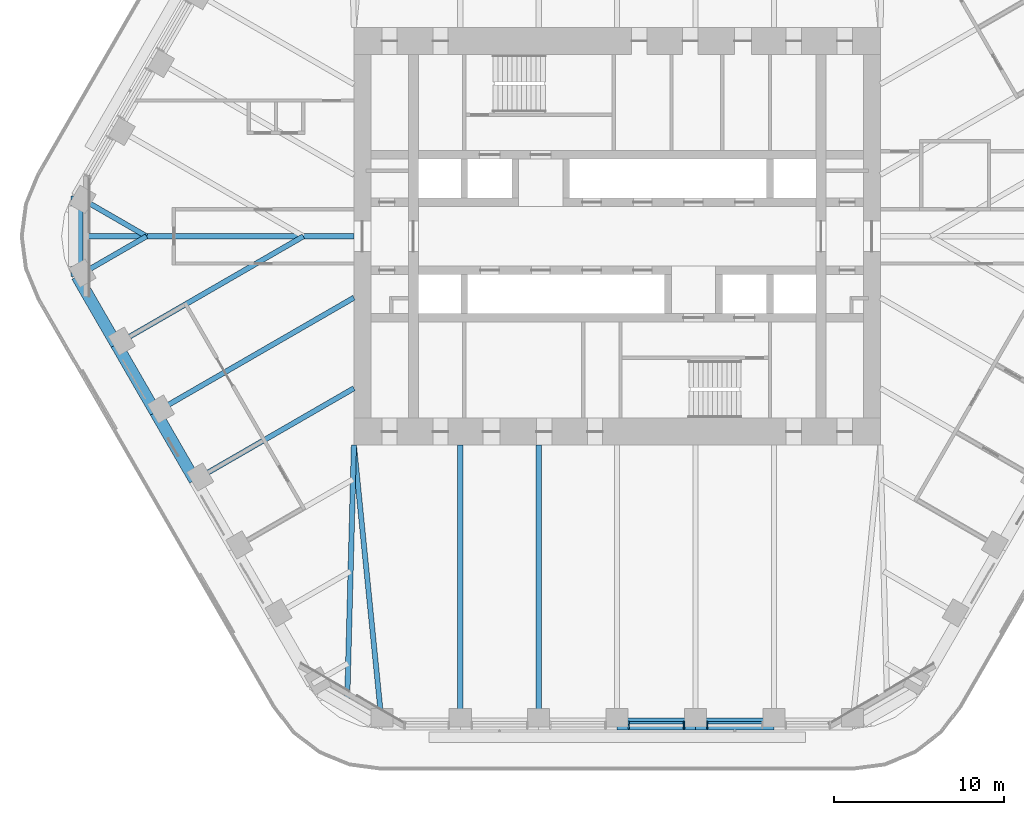
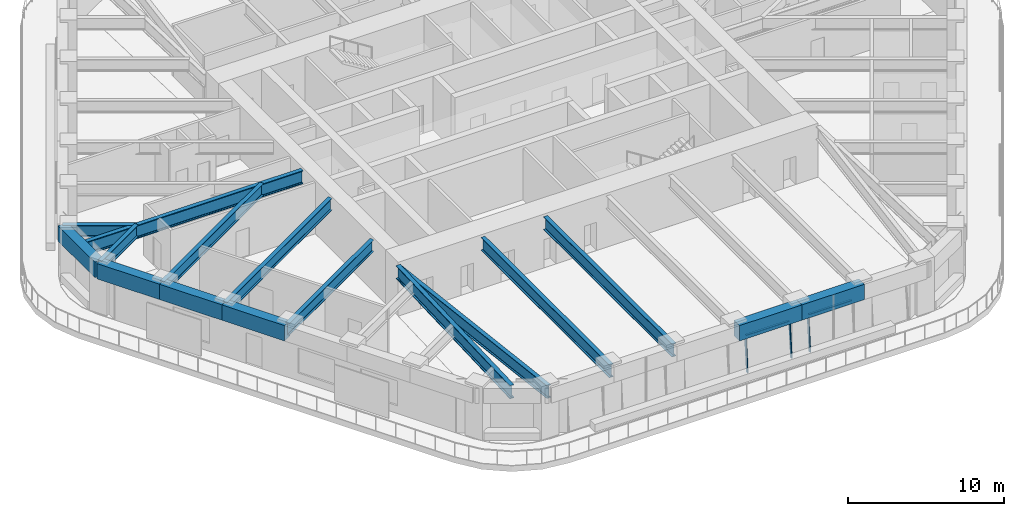
# One storey, part 3 of 20: 16 beams, 5 members, 2 elements without a shape of their own.
"""IFC4 building model written with IfcOpenShell, lengths in metres."""

import ifcopenshell
import ifcopenshell.guid

model = None  # the IFC model being written
_history = None  # IfcOwnerHistory: only IFC2X3 demands one
_inside = {}  # id of a spatial element -> (the spatial element, [elements in it])
_under = {}  # id of a project, library or spatial element -> (it, [spatial elements below it])
_declared = {}  # id of a project -> (the project, [libraries it declares])
_typed = {}  # id of a type object -> (the type object, [elements of that type])
_made_of = {}  # id of a material, layer set ... -> (it, [elements and type objects made of it])


def new_model(schema):
    """Start an empty IFC model of exactly this schema.

    Asked for "IFC4X3", IfcOpenShell would pick the latest addendum, in which some entities
    have other attributes; the version numbers below select the first issue.
    IFC2X3 requires an IfcOwnerHistory on every rooted entity: one is made here for all.
    """
    global model, _history
    if schema == "IFC4X3":
        model = ifcopenshell.file(schema_version=(4, 3, 0, 0))
    else:
        model = ifcopenshell.file(schema=schema)
    _inside.clear()
    _under.clear()
    _declared.clear()
    _typed.clear()
    _made_of.clear()
    _history = None
    if model.schema == "IFC2X3":
        org = make("IfcOrganization", Name="unknown")
        user = make(
            "IfcPersonAndOrganization",
            ThePerson=make("IfcPerson", FamilyName="unknown"),
            TheOrganization=org,
        )
        app = make(
            "IfcApplication",
            ApplicationDeveloper=org,
            Version="unknown",
            ApplicationFullName="unknown",
            ApplicationIdentifier="unknown",
        )
        _history = make(
            "IfcOwnerHistory",
            OwningUser=user,
            OwningApplication=app,
            ChangeAction="ADDED",
            CreationDate=0,
        )
    return model


def make(cls, **values):
    """One entity of the class cls with the attributes given. An attribute that is None is left unset."""
    return model.create_entity(
        cls, **{name: value for name, value in values.items() if value is not None}
    )


def rooted(cls, **values):
    """An entity with a GlobalId (a new one), such as an element, a storey or a relation."""
    return make(cls, GlobalId=ifcopenshell.guid.new(), OwnerHistory=_history, **values)


def si_unit(unit_type, name, prefix=None):
    """IfcSIUnit, for example si_unit("LENGTHUNIT", "METRE", prefix="MILLI")."""
    return make("IfcSIUnit", UnitType=unit_type, Prefix=prefix, Name=name)


def assignment(units):
    """IfcUnitAssignment: the units of a project."""
    return None if units is None else make("IfcUnitAssignment", Units=units)


def point(xyz):
    """IfcCartesianPoint."""
    return None if xyz is None else make("IfcCartesianPoint", Coordinates=xyz)


def direction(xyz):
    """IfcDirection."""
    return None if xyz is None else make("IfcDirection", DirectionRatios=xyz)


def frame(location, z_axis=None, x_axis=None):
    """IfcAxis2Placement3D, a coordinate frame: its origin and axes. An axis left out is left unset."""
    return make(
        "IfcAxis2Placement3D",
        Location=point(location),
        Axis=direction(z_axis),
        RefDirection=direction(x_axis),
    )


def frame_2d(location, x_axis=None):
    """IfcAxis2Placement2D, a coordinate frame in the plane: its origin and x axis."""
    return make(
        "IfcAxis2Placement2D", Location=point(location), RefDirection=direction(x_axis)
    )


def origin():
    """The frame at (0, 0, 0) with its axes left unset."""
    return frame((0.0, 0.0, 0.0))


def origin_2d():
    """The frame at (0, 0) in the plane with its x axis left unset."""
    return frame_2d((0.0, 0.0))


def place(relative_to, where):
    """IfcLocalPlacement: puts the frame where relative to a parent placement (None: the world)."""
    return make(
        "IfcLocalPlacement", PlacementRelTo=relative_to, RelativePlacement=where
    )


def context(
    kind, dimensions, precision=None, world=None, true_north=None, identifier=None
):
    """IfcGeometricRepresentationContext, for example the 3D "Model" context."""
    return make(
        "IfcGeometricRepresentationContext",
        ContextIdentifier=identifier,
        ContextType=kind,
        CoordinateSpaceDimension=dimensions,
        Precision=precision,
        WorldCoordinateSystem=world,
        TrueNorth=true_north,
    )


def subcontext(parent, identifier, kind, view, scale=None):
    """IfcGeometricRepresentationSubContext, for example "Body" below "Model"."""
    return make(
        "IfcGeometricRepresentationSubContext",
        ContextIdentifier=identifier,
        ContextType=kind,
        ParentContext=parent,
        TargetScale=scale,
        TargetView=view,
    )


def project(units=None, contexts=None):
    """IfcProject with its units and contexts."""
    return rooted(
        "IfcProject",
        Name="project",
        RepresentationContexts=contexts,
        UnitsInContext=assignment(units),
    )


def spatial(cls, under=None, at=None, **own):
    """A site, building, storey or space (cls), placed at a placement, below another one or the project."""
    s = rooted(cls, ObjectPlacement=at, **own)
    if under is not None:
        _under.setdefault(under.id(), (under, []))[1].append(s)
    return s


def profile(cls, at=None, kind="AREA", **sizes):
    """A parametric profile (cls). Its sizes go by their IFC names, for example OverallWidth=200.0."""
    return make(cls, ProfileType=kind, Position=at, **sizes)


def rectangle(**sizes):
    """IfcRectangleProfileDef."""
    return profile("IfcRectangleProfileDef", **sizes)


def i_section(**sizes):
    """IfcIShapeProfileDef."""
    return profile("IfcIShapeProfileDef", **sizes)


def extrude(swept, where, along, depth):
    """IfcExtrudedAreaSolid: the profile swept, set in the frame where, extruded along a direction by depth."""
    return make(
        "IfcExtrudedAreaSolid",
        SweptArea=swept,
        Position=where,
        ExtrudedDirection=direction(along),
        Depth=depth,
    )


def shape(context_of_items, identifier, shape_type, items):
    """IfcShapeRepresentation: the items that make up one representation, for example the "Body"."""
    return make(
        "IfcShapeRepresentation",
        ContextOfItems=context_of_items,
        RepresentationIdentifier=identifier,
        RepresentationType=shape_type,
        Items=items,
    )


def material(Name=None, Category=None):
    """IfcMaterial."""
    return make("IfcMaterial", Name=Name, Category=Category)


def material_profile(
    of_material, cross_section, Name=None, Category=None, Priority=None
):
    """IfcMaterialProfile: a cross section and its material."""
    return make(
        "IfcMaterialProfile",
        Name=Name,
        Material=of_material,
        Profile=cross_section,
        Priority=Priority,
        Category=Category,
    )


def profile_set(profiles, Name=None, composite=None):
    """IfcMaterialProfileSet."""
    return make(
        "IfcMaterialProfileSet",
        Name=Name,
        MaterialProfiles=profiles,
        CompositeProfile=composite,
    )


def made_of(thing, what):
    """Note that an element or type object is made of a material, layer set ...; save() writes the relation."""
    if what is not None:
        _made_of.setdefault(what.id(), (what, []))[1].append(thing)
    return thing


def type_object(cls, material=None, **own):
    """A type object (cls), such as IfcWallType, which elements share."""
    return made_of(rooted(cls, **own), material)


def element(
    cls,
    number,
    at=None,
    inside=None,
    cuts=None,
    type_object=None,
    material=None,
    context=None,
    identifier="Body",
    shape_type=None,
    held_by="IfcProductDefinitionShape",
    body=None,
    shapes=None,
    **own,
):
    """One element of the class cls, such as IfcWall. Its Tag is "e" and its number.

    at: its placement. inside: the storey or other place that contains it. cuts: it is an
    opening in that element (IfcRelVoidsElement). A single representation is given by context,
    identifier, shape_type and body (its items); several are given by shapes. held_by: the class
    of the entity that holds the representations. save() writes the other relations.
    """
    e = rooted(cls, Tag="e%d" % number, ObjectPlacement=at, **own)
    if body is not None:
        shapes = [shape(context, identifier, shape_type, body)]
    if shapes is not None:
        e.Representation = make(held_by, Representations=shapes)
    if inside is not None:
        _inside.setdefault(inside.id(), (inside, []))[1].append(e)
    if cuts is not None:
        rooted(
            "IfcRelVoidsElement", RelatingBuildingElement=cuts, RelatedOpeningElement=e
        )
    if type_object is not None:
        _typed.setdefault(type_object.id(), (type_object, []))[1].append(e)
    return made_of(e, material)


def aggregate(whole, parts):
    """IfcRelAggregates: a whole, such as a stair, and the parts it consists of."""
    return rooted("IfcRelAggregates", RelatingObject=whole, RelatedObjects=parts)


def save(model, path):
    """Write the relations noted so far, then the file.

    IfcRelAggregates (storeys below a building ...), IfcRelContainedInSpatialStructure (elements
    in a storey), IfcRelDefinesByType, IfcRelAssociatesMaterial and IfcRelDeclares: one each for
    every whole, place, type object, material and project.
    """
    for whole, parts in _under.values():
        aggregate(whole, parts)
    for where, things in _inside.values():
        rooted(
            "IfcRelContainedInSpatialStructure",
            RelatedElements=things,
            RelatingStructure=where,
        )
    for kind, things in _typed.values():
        rooted("IfcRelDefinesByType", RelatedObjects=things, RelatingType=kind)
    for what, things in _made_of.values():
        rooted("IfcRelAssociatesMaterial", RelatedObjects=things, RelatingMaterial=what)
    for by, libraries in _declared.values():
        rooted("IfcRelDeclares", RelatingContext=by, RelatedDefinitions=libraries)
    model.write(path)


model = new_model("IFC4")

# Units and contexts
model_context = context("Model", 3, precision=1e-05, world=origin(), true_north=direction((0.0, 1.0)))
body_context = subcontext(model_context, "Body", "Model", "MODEL_VIEW")
ifc_project = project(units=[si_unit("LENGTHUNIT", "METRE"), si_unit("AREAUNIT", "SQUARE_METRE"), si_unit("VOLUMEUNIT", "CUBIC_METRE"), si_unit("PLANEANGLEUNIT", "RADIAN"), si_unit("MASSUNIT", "GRAM", prefix="KILO")], contexts=[model_context])

# Site, building, storey
site_placement = place(None, origin())
site = spatial("IfcSite", under=ifc_project, at=site_placement, CompositionType="ELEMENT")
building_placement = place(site_placement, origin())
building = spatial("IfcBuilding", under=site, at=building_placement, Name="Tarfa Lantern Tower", CompositionType="ELEMENT")
storey_placement = place(building_placement, frame((0.0, 0.0, 244.89990234375)))
storey = spatial("IfcBuildingStorey", under=building, at=storey_placement, Name="L55", CompositionType="ELEMENT", Elevation=244.89990234375)

# Curtain wall, members
ifc_material_1 = material(Name="Aluminium framed curtain wall", Category="aluminium")
curtain_wall_type = type_object("IfcCurtainWallType", Name="CW3 CANTED GLAZING HIGH ZONE 2800", PredefinedType="USERDEFINED", material=ifc_material_1)
curtain_wall_1_placement = place(storey_placement, origin())
curtain_wall_1 = element("IfcCurtainWall", 1, at=curtain_wall_1_placement, inside=storey, type_object=curtain_wall_type, Name="CW3 S L55", ObjectType="CURTAIN WALL", PredefinedType="USERDEFINED")
ifc_material_2 = material(Name="Aluminium mullion", Category="aluminium")
ifc_material_profile_1 = material_profile(ifc_material_2, rectangle(XDim=0.06494140625, YDim=0.199951171875, at=origin_2d()), Name="AL MULLION 65x200")
ifc_profile_set_1 = profile_set([ifc_material_profile_1], Name="Aluminium mullion")
member_type_1 = type_object("IfcMemberType", Name="CWM1 MULLION 65x200", PredefinedType="MULLION", material=ifc_profile_set_1)
member_1_placement = place(storey_placement, frame((0.6826171875, -28.89990234375, 0.0), z_axis=(0.0, 0.088930399417, 0.996037842685), x_axis=(-1.0, 0.0, 0.0)))
member_1 = element("IfcMember", 2, at=member_1_placement, type_object=member_type_1, Name="CW3 mullion 1", PredefinedType="MULLION", context=body_context, shape_type="SweptSolid", body=[
    extrude(rectangle(XDim=0.06494140625, YDim=0.199951171875, at=origin_2d()), origin(), (0.0, 0.0, 1.0), 2.811279296875),
])
member_2_placement = place(storey_placement, frame((3.936279296875, -28.89990234375, 0.0), z_axis=(0.0, 0.088930399417, 0.996037842685), x_axis=(-1.0, 0.0, 0.0)))
member_2 = element("IfcMember", 3, at=member_2_placement, type_object=member_type_1, Name="CW3 mullion 2", PredefinedType="MULLION", context=body_context, shape_type="SweptSolid", body=[
    extrude(rectangle(XDim=0.06494140625, YDim=0.199951171875, at=origin_2d()), origin(), (0.0, 0.0, 1.0), 2.811279296875),
])

# Curtain wall, member
curtain_wall_2_placement = place(storey_placement, origin())
curtain_wall_2 = element("IfcCurtainWall", 4, at=curtain_wall_2_placement, inside=storey, type_object=curtain_wall_type, Name="CW3 S L55", ObjectType="CURTAIN WALL", PredefinedType="USERDEFINED")
member_3_placement = place(storey_placement, frame((5.30126953125, -28.89990234375, 0.0), z_axis=(0.0, 0.088930399417, 0.996037842685), x_axis=(-1.0, 0.0, 0.0)))
member_3 = element("IfcMember", 5, at=member_3_placement, type_object=member_type_1, Name="CW3 mullion 1", PredefinedType="MULLION", context=body_context, shape_type="SweptSolid", body=[
    extrude(rectangle(XDim=0.06494140625, YDim=0.199951171875, at=origin_2d()), origin(), (0.0, 0.0, 1.0), 2.811279296875),
])

# Member
ifc_material_3 = material(Name="Aluminium transom", Category="aluminium")
ifc_material_profile_2 = material_profile(ifc_material_3, rectangle(XDim=0.14990234375, YDim=0.06494140625, at=origin_2d()), Name="AL TRANSOM 150x65")
ifc_profile_set_2 = profile_set([ifc_material_profile_2], Name="Aluminium transom")
member_type_2 = type_object("IfcMemberType", Name="CWT1 TRANSOM 150x65", PredefinedType="USERDEFINED", material=ifc_profile_set_2)
member_4_placement = place(storey_placement, frame((0.715087890625, -28.65283203125, 2.767578125), z_axis=(1.0, 0.0, 0.0), x_axis=(0.0, 1.0, 0.0)))
member_4 = element("IfcMember", 6, at=member_4_placement, type_object=member_type_2, Name="CW3 transom 1.2", ObjectType="TRANSOM", PredefinedType="USERDEFINED", context=body_context, shape_type="SweptSolid", body=[
    extrude(rectangle(XDim=0.14990234375, YDim=0.06494140625, at=origin_2d()), origin(), (0.0, 0.0, 1.0), 3.188720703125),
])

aggregate(curtain_wall_1, [member_1, member_2, member_4])

member_5_placement = place(storey_placement, frame((5.333740234375, -28.65283203125, 2.767578125), z_axis=(1.0, 0.0, 0.0), x_axis=(0.0, 1.0, 0.0)))
member_5 = element("IfcMember", 7, at=member_5_placement, type_object=member_type_2, Name="CW3 transom 1.2", ObjectType="TRANSOM", PredefinedType="USERDEFINED", context=body_context, shape_type="SweptSolid", body=[
    extrude(rectangle(XDim=0.14990234375, YDim=0.06494140625, at=origin_2d()), origin(), (0.0, 0.0, 1.0), 3.18896484375),
])

aggregate(curtain_wall_2, [member_3, member_5])

# Beams
ifc_material_4 = material(Name="Concrete C80/95", Category="concrete")
ifc_material_profile_3 = material_profile(ifc_material_4, rectangle(XDim=0.699951171875, YDim=1.199951171875, at=origin_2d()), Name="RC 700x1200")
ifc_profile_set_3 = profile_set([ifc_material_profile_3], Name="Concrete C80/95")
beam_type_1 = type_object("IfcBeamType", Name="EB3 RC 700x1200", PredefinedType="SPANDREL", material=ifc_profile_set_3)
beam_1_placement = place(storey_placement, frame((-31.800537109375, 2.360107421875, 3.400146484375), z_axis=(0.0, -1.0, 0.0), x_axis=(1.0, 0.0, 0.0)))
element("IfcBeam", 8, at=beam_1_placement, inside=storey, type_object=beam_type_1, Name="Edge beam NW6", PredefinedType="SPANDREL", context=body_context, shape_type="SweptSolid", body=[
    extrude(rectangle(XDim=0.699951171875, YDim=1.199951171875, at=origin_2d()), origin(), (0.0, 0.0, 1.0), 4.72021484375),
])
beam_2_placement = place(storey_placement, frame((-31.800537109375, -2.360107421875, 3.400146484375), z_axis=(0.500027479704, -0.866009537788, 0.0), x_axis=(0.866009537788, 0.500027479704, 0.0)))
element("IfcBeam", 9, at=beam_2_placement, inside=storey, type_object=beam_type_1, Name="Edge beam SW0", PredefinedType="SPANDREL", context=body_context, shape_type="SweptSolid", body=[
    extrude(rectangle(XDim=0.699951171875, YDim=1.199951171875, at=origin_2d()), origin(), (0.0, 0.0, 1.0), 4.618896484375),
])
for number, where, z_axis, x_axis, name in (
    (10, (-29.490966796875, -6.360107421875, 3.400146484375), (0.499987836815, -0.866032426089, 0.0), (0.866032426089, 0.499987836815, 0.0), "Edge beam SW1"),
    (11, (-27.181640625, -10.360107421875, 3.400146484375), (0.499987836815, -0.866032426089, 0.0), (0.866032426089, 0.499987836815, 0.0), "Edge beam SW2"),
):
    element("IfcBeam", number, at=place(storey_placement, frame(where, z_axis=z_axis, x_axis=x_axis)), inside=storey, type_object=beam_type_1, Name=name, PredefinedType="SPANDREL", context=body_context, shape_type="SweptSolid", body=[
        extrude(rectangle(XDim=0.699951171875, YDim=1.199951171875, at=origin_2d()), origin(), (0.0, 0.0, 1.0), 4.61865234375),
    ])
beam_3_placement = place(storey_placement, frame((0.0, -28.719970703125, 3.400146484375), z_axis=(1.0, 0.0, 0.0), x_axis=(0.0, 1.0, 0.0)))
element("IfcBeam", 12, at=beam_3_placement, inside=storey, type_object=beam_type_1, Name="Edge beam S3", PredefinedType="SPANDREL", context=body_context, shape_type="SweptSolid", body=[
    extrude(rectangle(XDim=0.699951171875, YDim=1.199951171875, at=origin_2d()), origin(), (0.0, 0.0, 1.0), 4.618896484375),
])
beam_4_placement = place(storey_placement, frame((4.618896484375, -28.719970703125, 3.400146484375), z_axis=(1.0, 0.0, 0.0), x_axis=(0.0, 1.0, 0.0)))
element("IfcBeam", 13, at=beam_4_placement, inside=storey, type_object=beam_type_1, Name="Edge beam S4", PredefinedType="SPANDREL", context=body_context, shape_type="SweptSolid", body=[
    extrude(rectangle(XDim=0.699951171875, YDim=1.199951171875, at=origin_2d()), origin(), (0.0, 0.0, 1.0), 4.61865234375),
])
ifc_material_5 = material(Name="Steel S460M", Category="steel")
ifc_material_profile_4 = material_profile(ifc_material_5, i_section(OverallWidth=0.302001953125, OverallDepth=1.008056640625, WebThickness=0.02099609375, FlangeThickness=0.0400390625, FilletRadius=0.030029296875, at=origin_2d()), Name="UB1016x305x349")
ifc_profile_set_4 = profile_set([ifc_material_profile_4], Name="Steel S460M")
beam_type_2 = type_object("IfcBeamType", Name="UB1016x305x349", PredefinedType="BEAM", material=ifc_profile_set_4)
beam_5_placement = place(storey_placement, frame((-13.8564453125, -28.719970703125, 3.49609375), z_axis=(-0.099597466746, 0.995027810977, 0.0), x_axis=(-0.995027810977, -0.099597466746, 0.0)))
element("IfcBeam", 14, at=beam_5_placement, inside=storey, type_object=beam_type_2, Name="Floor beam S0", PredefinedType="BEAM", context=body_context, shape_type="SweptSolid", body=[
    extrude(i_section(OverallWidth=0.302001953125, OverallDepth=1.008056640625, WebThickness=0.02099609375, FlangeThickness=0.0400390625, FilletRadius=0.030029296875, at=origin_2d()), origin(), (0.0, 0.0, 1.0), 16.501953125),
])
for number, where, z_axis, x_axis, name in (
    (15, (-9.237548828125, -28.719970703125, 3.49609375), (0.0, 1.0, 0.0), (-1.0, 0.0, 0.0), "Floor beam S1"),
    (16, (-4.618896484375, -28.719970703125, 3.49609375), (0.0, 1.0, 0.0), (-1.0, 0.0, 0.0), "Floor beam S2"),
):
    element("IfcBeam", number, at=place(storey_placement, frame(where, z_axis=z_axis, x_axis=x_axis)), inside=storey, type_object=beam_type_2, Name=name, PredefinedType="BEAM", context=body_context, shape_type="SweptSolid", body=[
        extrude(i_section(OverallWidth=0.302001953125, OverallDepth=1.008056640625, WebThickness=0.02099609375, FlangeThickness=0.0400390625, FilletRadius=0.030029296875, at=origin_2d()), origin(), (0.0, 0.0, 1.0), 16.419921875),
    ])
ifc_material_profile_5 = material_profile(ifc_material_5, i_section(OverallWidth=0.30859375, OverallDepth=1.036376953125, WebThickness=0.030029296875, FlangeThickness=0.05419921875, FilletRadius=0.030029296875, at=origin_2d()), Name="UB1016x305x487")
ifc_profile_set_5 = profile_set([ifc_material_profile_5], Name="Steel S460M")
beam_type_3 = type_object("IfcBeamType", Name="UB1016x305x487", PredefinedType="BEAM", material=ifc_profile_set_5)
beam_6_placement = place(storey_placement, frame((-15.5, 0.0, 3.48193359375), z_axis=(-1.0, 0.0, 0.0), x_axis=(0.0, -1.0, 0.0)))
element("IfcBeam", 17, at=beam_6_placement, inside=storey, type_object=beam_type_3, Name="Hip girder W", PredefinedType="BEAM", context=body_context, shape_type="SweptSolid", body=[
    extrude(i_section(OverallWidth=0.30859375, OverallDepth=1.036376953125, WebThickness=0.030029296875, FlangeThickness=0.05419921875, FilletRadius=0.030029296875, at=origin_2d()), origin(), (0.0, 0.0, 1.0), 16.300537109375),
])
beam_7_placement = place(storey_placement, frame((-15.5, -12.300048828125, 3.48193359375), z_axis=(-0.026247301989, -0.999655480222, 0.0), x_axis=(0.999655480222, -0.026247301989, 0.0)))
element("IfcBeam", 18, at=beam_7_placement, inside=storey, type_object=beam_type_3, Name="Hip girder SW", PredefinedType="BEAM", context=body_context, shape_type="SweptSolid", body=[
    extrude(i_section(OverallWidth=0.30859375, OverallDepth=1.036376953125, WebThickness=0.030029296875, FlangeThickness=0.05419921875, FilletRadius=0.030029296875, at=origin_2d()), origin(), (0.0, 0.0, 1.0), 15.245361328125),
])
ifc_material_profile_6 = material_profile(ifc_material_5, i_section(OverallWidth=0.305419921875, OverallDepth=0.91845703125, WebThickness=0.017333984375, FlangeThickness=0.02783203125, FilletRadius=0.01904296875, at=origin_2d()), Name="UB914x305x253")
ifc_profile_set_6 = profile_set([ifc_material_profile_6], Name="Steel S460M")
beam_type_4 = type_object("IfcBeamType", Name="UB914x305x253", PredefinedType="BEAM", material=ifc_profile_set_6)
for number, where, z_axis, x_axis, name in (
    (19, (-31.800537109375, 2.360107421875, 3.541015625), (0.866015897305, -0.500016465344, 0.0), (0.500016465344, 0.866015897305, 0.0), "Floor beam NW6"),
    (20, (-31.800537109375, -2.360107421875, 3.541015625), (0.866015897305, 0.500016465344, 0.0), (-0.500016465344, 0.866015897305, 0.0), "Floor beam SW0"),
):
    element("IfcBeam", number, at=place(storey_placement, frame(where, z_axis=z_axis, x_axis=x_axis)), inside=storey, type_object=beam_type_4, Name=name, PredefinedType="BEAM", context=body_context, shape_type="SweptSolid", body=[
        extrude(i_section(OverallWidth=0.305419921875, OverallDepth=0.91845703125, WebThickness=0.017333984375, FlangeThickness=0.02783203125, FilletRadius=0.01904296875, at=origin_2d()), origin(), (0.0, 0.0, 1.0), 4.719970703125),
    ])
beam_8_placement = place(storey_placement, frame((-29.490966796875, -6.360107421875, 3.541015625), z_axis=(0.866022258038, 0.500005448553, 0.0), x_axis=(-0.500005448553, 0.866022258038, 0.0)))
element("IfcBeam", 21, at=beam_8_placement, inside=storey, type_object=beam_type_4, Name="Floor beam SW1", PredefinedType="BEAM", context=body_context, shape_type="SweptSolid", body=[
    extrude(i_section(OverallWidth=0.305419921875, OverallDepth=0.91845703125, WebThickness=0.017333984375, FlangeThickness=0.02783203125, FilletRadius=0.01904296875, at=origin_2d()), origin(), (0.0, 0.0, 1.0), 12.719970703125),
])
beam_9_placement = place(storey_placement, frame((-27.181640625, -10.360107421875, 3.541015625), z_axis=(0.866018002818, 0.500012818631, 0.0), x_axis=(-0.500012818631, 0.866018002818, 0.0)))
element("IfcBeam", 22, at=beam_9_placement, inside=storey, type_object=beam_type_4, Name="Floor beam SW2", PredefinedType="BEAM", context=body_context, shape_type="SweptSolid", body=[
    extrude(i_section(OverallWidth=0.305419921875, OverallDepth=0.91845703125, WebThickness=0.017333984375, FlangeThickness=0.02783203125, FilletRadius=0.01904296875, at=origin_2d()), origin(), (0.0, 0.0, 1.0), 13.489013671875),
])
beam_10_placement = place(storey_placement, frame((-24.872314453125, -14.360107421875, 3.541015625), z_axis=(0.8660244219, 0.500001700669, 0.0), x_axis=(-0.500001700669, 0.8660244219, 0.0)))
element("IfcBeam", 23, at=beam_10_placement, inside=storey, type_object=beam_type_4, Name="Floor beam SW3", PredefinedType="BEAM", context=body_context, shape_type="SweptSolid", body=[
    extrude(i_section(OverallWidth=0.305419921875, OverallDepth=0.91845703125, WebThickness=0.017333984375, FlangeThickness=0.02783203125, FilletRadius=0.01904296875, at=origin_2d()), origin(), (0.0, 0.0, 1.0), 10.822265625),
])

save(model, "model.ifc")
